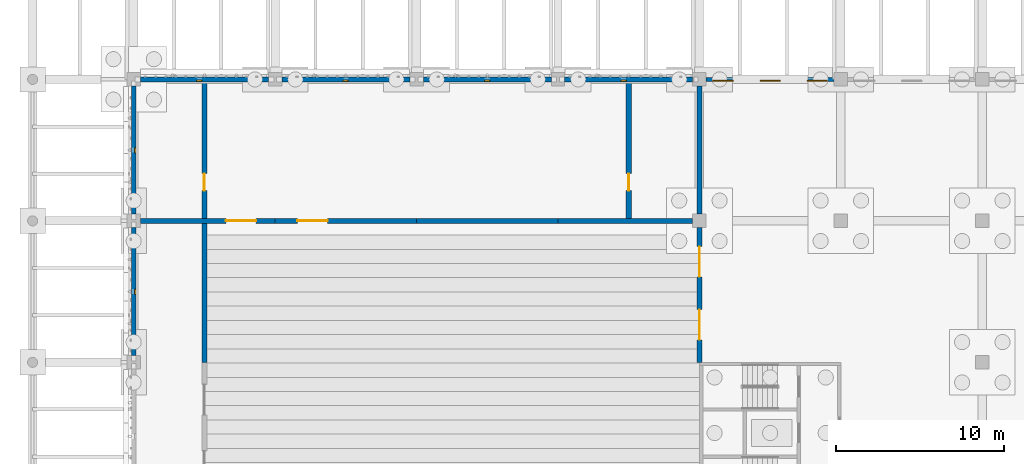
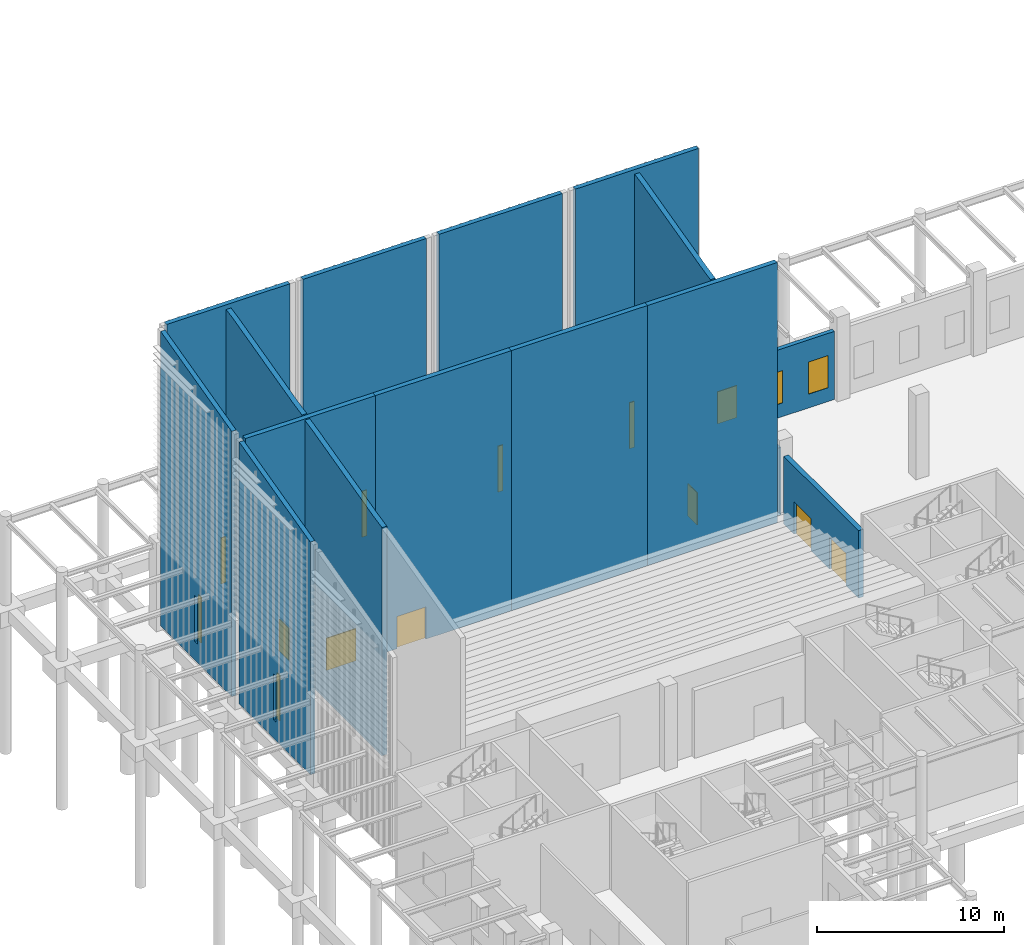
# One storey, part 35 of 82: 16 walls, 9 windows, 6 doors, 15 openings.
"""IFC4 building model written with IfcOpenShell, lengths in metres."""

from ifc_helpers import new_model, si_unit, direction, frame, frame_2d, origin, place, context, subcontext, project, spatial, polyline, rectangle, outline, extrude, material, layer, layer_set, type_object, element, fill, save


model = new_model("IFC4")

# Units and contexts
model_context = context("Model", 3, precision=1e-05, world=origin(), true_north=direction((0.0, 1.0)))
body_context = subcontext(model_context, "Body", "Model", "MODEL_VIEW")
ifc_project = project(units=[si_unit("LENGTHUNIT", "METRE"), si_unit("AREAUNIT", "SQUARE_METRE"), si_unit("VOLUMEUNIT", "CUBIC_METRE"), si_unit("PLANEANGLEUNIT", "RADIAN"), si_unit("MASSUNIT", "GRAM", prefix="KILO")], contexts=[model_context])

# Site, building, storey
site_placement = place(None, origin())
site = spatial("IfcSite", under=ifc_project, at=site_placement, CompositionType="ELEMENT")
building_placement = place(site_placement, origin())
building = spatial("IfcBuilding", under=site, at=building_placement, Name="Almond Square Museum", CompositionType="ELEMENT")
storey_placement = place(building_placement, origin())
storey = spatial("IfcBuildingStorey", under=building, at=storey_placement, Name="L00", CompositionType="ELEMENT", Elevation=0.0)

# Wall, opening, door
ifc_material_1 = material(Name="Acoustic gypsum board on double steel stud", Category="steel")
ifc_layer_1 = layer(ifc_material_1, 0.300048828125)
ifc_layer_set_1 = layer_set([ifc_layer_1], Name="Acoustic gypsum board on double steel stud")
wall_type_1 = type_object("IfcWallType", Name="Acoustic wall 300 double stud", PredefinedType="PARTITIONING", material=ifc_layer_set_1)
wall_1_placement = place(storey_placement, frame((10.199951171875, 100.949951171875, 0.0), z_axis=(0.0, 0.0, 1.0), x_axis=(0.0, 1.0, 0.0)))
wall_1 = element("IfcWall", 1, at=wall_1_placement, inside=storey, type_object=wall_type_1, Name="L00 partition 1", PredefinedType="PARTITIONING", context=body_context, shape_type="SweptSolid", body=[
    extrude(outline(polyline([(0.0, 0.0), (8.10009765625, 0.0), (8.10009765625, 19.02392578125), (7.35009765625, 18.8720703125), (6.300048828125, 18.60693359375), (4.199951171875, 18.074951171875), (3.14990234375, 17.81005859375), (2.10009765625, 17.5439453125), (1.050048828125, 17.279052734375), (0.0, 17.051025390625), (0.0, 0.0)])), frame((0.0, 0.14990234375, 0.0), z_axis=(0.0, -1.0, 0.0), x_axis=(1.0, 0.0, 0.0)), (0.0, 0.0, 1.0), 0.300048828125),
])
opening_1_placement = place(wall_1_placement, frame((1.64990234375, 0.0, 0.0)))
opening_1 = element("IfcOpeningElement", 2, at=opening_1_placement, cuts=wall_1, Name="Opening D0101", PredefinedType="OPENING", context=body_context, shape_type="SweptSolid", body=[
    extrude(rectangle(XDim=1.0, YDim=2.10009765625, at=frame_2d((0.5, 1.050048828125))), frame((0.0, 0.159912109375, 0.0), z_axis=(0.0, -1.0, 0.0), x_axis=(1.0, 0.0, 0.0)), (0.0, 0.0, 1.0), 0.320068359375),
])
ifc_material_2 = material(Name="Steel", Category="steel")
door_type_1 = type_object("IfcDoorType", Name="Fire door 1000 x 2100 FD60 single", OperationType="NOTDEFINED", PredefinedType="DOOR", material=ifc_material_2)
door_1_placement = place(opening_1_placement, origin())
door_1 = element("IfcDoor", 3, at=door_1_placement, inside=storey, type_object=door_type_1, Name="L00 door Green Room to Stage", OperationType="SINGLE_SWING_LEFT", OverallHeight=2.10009765625, OverallWidth=1.0, PredefinedType="DOOR", context=body_context, shape_type="SweptSolid", body=[
    extrude(rectangle(XDim=1.0, YDim=2.10009765625, at=frame_2d((0.5, 1.050048828125))), frame((0.0, 0.02490234375, 0.0), z_axis=(0.0, -1.0, 0.0), x_axis=(1.0, 0.0, 0.0)), (0.0, 0.0, 1.0), 0.050048828125),
])
fill(opening_1, door_1)

wall_2_placement = place(storey_placement, frame((6.39990234375, 100.800048828125, 0.0), z_axis=(0.0, 0.0, 1.0), x_axis=(1.0, 0.0, 0.0)))
wall_2 = element("IfcWall", 4, at=wall_2_placement, inside=storey, type_object=wall_type_1, Name="L00 partition 2", PredefinedType="PARTITIONING", context=body_context, shape_type="SweptSolid", body=[
    extrude(rectangle(XDim=8.0, YDim=0.300048828125, at=frame_2d((4.0, 0.0))), origin(), (0.0, 0.0, 1.0), 16.97509765625),
])
opening_2_placement = place(wall_2_placement, frame((5.074951171875, 0.0, 0.0)))
opening_2 = element("IfcOpeningElement", 5, at=opening_2_placement, cuts=wall_2, Name="Opening D0139", PredefinedType="OPENING", context=body_context, shape_type="SweptSolid", body=[
    extrude(rectangle(XDim=1.800048828125, YDim=2.10009765625, at=frame_2d((0.89990234375, 1.050048828125))), frame((0.0, 0.159912109375, 0.0), z_axis=(0.0, -1.0, 0.0), x_axis=(1.0, 0.0, 0.0)), (0.0, 0.0, 1.0), 0.320068359375),
])
ifc_material_3 = material(Name="Steel", Category="steel")
door_type_2 = type_object("IfcDoorType", Name="Fire door 1800 x 2100 FD60 double", OperationType="NOTDEFINED", PredefinedType="DOOR", material=ifc_material_3)
door_2_placement = place(opening_2_placement, origin())
door_2 = element("IfcDoor", 6, at=door_2_placement, inside=storey, type_object=door_type_2, Name="L00 door Stage to Auditorium", OperationType="DOUBLE_DOOR_SINGLE_SWING", OverallHeight=2.10009765625, OverallWidth=1.800048828125, PredefinedType="DOOR", context=body_context, shape_type="SweptSolid", body=[
    extrude(rectangle(XDim=1.800048828125, YDim=2.10009765625, at=frame_2d((0.89990234375, 1.050048828125))), frame((0.0, 0.02490234375, 0.0), z_axis=(0.0, -1.0, 0.0), x_axis=(1.0, 0.0, 0.0)), (0.0, 0.0, 1.0), 0.050048828125),
])
fill(opening_2, door_2)

wall_3_placement = place(storey_placement, frame((14.39990234375, 100.800048828125, 0.0), z_axis=(0.0, 0.0, 1.0), x_axis=(1.0, 0.0, 0.0)))
wall_3 = element("IfcWall", 7, at=wall_3_placement, inside=storey, type_object=wall_type_1, Name="L00 partition 3", PredefinedType="PARTITIONING", context=body_context, shape_type="SweptSolid", body=[
    extrude(rectangle(XDim=8.400146484375, YDim=0.300048828125, at=frame_2d((4.2001953125, 0.0))), origin(), (0.0, 0.0, 1.0), 16.97509765625),
])
opening_3_placement = place(wall_3_placement, frame((1.324951171875, 0.0, 0.0)))
opening_3 = element("IfcOpeningElement", 8, at=opening_3_placement, cuts=wall_3, Name="Opening D0140", PredefinedType="OPENING", context=body_context, shape_type="SweptSolid", body=[
    extrude(rectangle(XDim=1.800048828125, YDim=2.10009765625, at=frame_2d((0.89990234375, 1.050048828125))), frame((0.0, 0.159912109375, 0.0), z_axis=(0.0, -1.0, 0.0), x_axis=(1.0, 0.0, 0.0)), (0.0, 0.0, 1.0), 0.320068359375),
])
door_3_placement = place(opening_3_placement, origin())
door_3 = element("IfcDoor", 9, at=door_3_placement, inside=storey, type_object=door_type_2, Name="L00 door Stage to Auditorium", OperationType="DOUBLE_DOOR_SINGLE_SWING", OverallHeight=2.10009765625, OverallWidth=1.800048828125, PredefinedType="DOOR", context=body_context, shape_type="SweptSolid", body=[
    extrude(rectangle(XDim=1.800048828125, YDim=2.10009765625, at=frame_2d((0.89990234375, 1.050048828125))), frame((0.0, 0.02490234375, 0.0), z_axis=(0.0, -1.0, 0.0), x_axis=(1.0, 0.0, 0.0)), (0.0, 0.0, 1.0), 0.050048828125),
])
fill(opening_3, door_3)

# Walls
wall_4_placement = place(storey_placement, frame((22.800048828125, 100.800048828125, 0.0), z_axis=(0.0, 0.0, 1.0), x_axis=(1.0, 0.0, 0.0)))
element("IfcWall", 10, at=wall_4_placement, inside=storey, type_object=wall_type_1, Name="L00 partition 4", PredefinedType="PARTITIONING", context=body_context, shape_type="SweptSolid", body=[
    extrude(rectangle(XDim=8.39990234375, YDim=0.300048828125, at=frame_2d((4.199951171875, 0.0))), origin(), (0.0, 0.0, 1.0), 16.97509765625),
])
wall_5_placement = place(storey_placement, frame((31.199951171875, 100.800048828125, 0.0), z_axis=(0.0, 0.0, 1.0), x_axis=(1.0, 0.0, 0.0)))
element("IfcWall", 11, at=wall_5_placement, inside=storey, type_object=wall_type_1, Name="L00 partition 5", PredefinedType="PARTITIONING", context=body_context, shape_type="SweptSolid", body=[
    extrude(rectangle(XDim=8.0, YDim=0.300048828125, at=frame_2d((4.0, 0.0))), origin(), (0.0, 0.0, 1.0), 16.97509765625),
])

# Wall, opening, door
wall_6_placement = place(storey_placement, frame((35.39990234375, 100.949951171875, 0.0), z_axis=(0.0, 0.0, 1.0), x_axis=(0.0, 1.0, 0.0)))
wall_6 = element("IfcWall", 12, at=wall_6_placement, inside=storey, type_object=wall_type_1, Name="L00 partition 6", PredefinedType="PARTITIONING", context=body_context, shape_type="SweptSolid", body=[
    extrude(outline(polyline([(0.0, 0.0), (8.10009765625, 0.0), (8.10009765625, 19.02392578125), (7.35009765625, 18.8720703125), (6.300048828125, 18.60693359375), (4.199951171875, 18.074951171875), (3.14990234375, 17.81005859375), (2.10009765625, 17.5439453125), (1.050048828125, 17.279052734375), (0.0, 17.051025390625), (0.0, 0.0)])), frame((0.0, 0.14990234375, 0.0), z_axis=(0.0, -1.0, 0.0), x_axis=(1.0, 0.0, 0.0)), (0.0, 0.0, 1.0), 0.300048828125),
])
opening_4_placement = place(wall_6_placement, frame((1.64990234375, 0.0, 0.0)))
opening_4 = element("IfcOpeningElement", 13, at=opening_4_placement, cuts=wall_6, Name="Opening D0102", PredefinedType="OPENING", context=body_context, shape_type="SweptSolid", body=[
    extrude(rectangle(XDim=1.0, YDim=2.10009765625, at=frame_2d((0.5, 1.050048828125))), frame((0.0, 0.159912109375, 0.0), z_axis=(0.0, -1.0, 0.0), x_axis=(1.0, 0.0, 0.0)), (0.0, 0.0, 1.0), 0.320068359375),
])
door_4_placement = place(opening_4_placement, origin())
door_4 = element("IfcDoor", 14, at=door_4_placement, inside=storey, type_object=door_type_1, Name="L00 door Dressing Room to Stage", OperationType="SINGLE_SWING_RIGHT", OverallHeight=2.10009765625, OverallWidth=1.0, PredefinedType="DOOR", context=body_context, shape_type="SweptSolid", body=[
    extrude(rectangle(XDim=1.0, YDim=2.10009765625, at=frame_2d((0.5, 1.050048828125))), frame((0.0, 0.02490234375, 0.0), z_axis=(0.0, -1.0, 0.0), x_axis=(1.0, 0.0, 0.0)), (0.0, 0.0, 1.0), 0.050048828125),
])
fill(opening_4, door_4)

# Wall
wall_7_placement = place(storey_placement, frame((39.60009765625, 101.199951171875, 0.0), z_axis=(0.0, 0.0, 1.0), x_axis=(0.0, 1.0, 0.0)))
element("IfcWall", 15, at=wall_7_placement, inside=storey, type_object=wall_type_1, Name="L00 partition 7", PredefinedType="PARTITIONING", context=body_context, shape_type="SweptSolid", body=[
    extrude(rectangle(XDim=7.60009765625, YDim=0.300048828125, at=frame_2d((3.800048828125, 0.0))), origin(), (0.0, 0.0, 1.0), 4.39990234375),
])

# Wall, openings, doors
wall_8_placement = place(storey_placement, frame((39.60009765625, 92.39990234375, 0.0), z_axis=(0.0, 0.0, 1.0), x_axis=(0.0, 1.0, 0.0)))
wall_8 = element("IfcWall", 16, at=wall_8_placement, inside=storey, type_object=wall_type_1, Name="L00 partition 18", PredefinedType="PARTITIONING", context=body_context, shape_type="SweptSolid", body=[
    extrude(rectangle(XDim=8.0, YDim=0.300048828125, at=frame_2d((4.0, 0.0))), origin(), (0.0, 0.0, 1.0), 4.39990234375),
])
opening_5_placement = place(wall_8_placement, frame((1.324951171875, 0.0, 0.0)))
opening_5 = element("IfcOpeningElement", 17, at=opening_5_placement, cuts=wall_8, Name="Opening D0141", PredefinedType="OPENING", context=body_context, shape_type="SweptSolid", body=[
    extrude(rectangle(XDim=1.800048828125, YDim=2.10009765625, at=frame_2d((0.89990234375, 1.050048828125))), frame((0.0, 0.159912109375, 0.0), z_axis=(0.0, -1.0, 0.0), x_axis=(1.0, 0.0, 0.0)), (0.0, 0.0, 1.0), 0.320068359375),
])
opening_6_placement = place(wall_8_placement, frame((5.074951171875, 0.0, 0.0)))
opening_6 = element("IfcOpeningElement", 18, at=opening_6_placement, cuts=wall_8, Name="Opening D0142", PredefinedType="OPENING", context=body_context, shape_type="SweptSolid", body=[
    extrude(rectangle(XDim=1.800048828125, YDim=2.10009765625, at=frame_2d((0.89990234375, 1.050048828125))), frame((0.0, 0.159912109375, 0.0), z_axis=(0.0, -1.0, 0.0), x_axis=(1.0, 0.0, 0.0)), (0.0, 0.0, 1.0), 0.320068359375),
])
door_5_placement = place(opening_5_placement, origin())
door_5 = element("IfcDoor", 19, at=door_5_placement, inside=storey, type_object=door_type_2, Name="L00 door Temporary Exhibition Gallery to Auditorium", OperationType="DOUBLE_DOOR_SINGLE_SWING", OverallHeight=2.10009765625, OverallWidth=1.800048828125, PredefinedType="DOOR", context=body_context, shape_type="SweptSolid", body=[
    extrude(rectangle(XDim=1.800048828125, YDim=2.10009765625, at=frame_2d((0.89990234375, 1.050048828125))), frame((0.0, 0.02490234375, 0.0), z_axis=(0.0, -1.0, 0.0), x_axis=(1.0, 0.0, 0.0)), (0.0, 0.0, 1.0), 0.050048828125),
])
fill(opening_5, door_5)
door_6_placement = place(opening_6_placement, origin())
door_6 = element("IfcDoor", 20, at=door_6_placement, inside=storey, type_object=door_type_2, Name="L00 door Temporary Exhibition Gallery to Auditorium", OperationType="DOUBLE_DOOR_SINGLE_SWING", OverallHeight=2.10009765625, OverallWidth=1.800048828125, PredefinedType="DOOR", context=body_context, shape_type="SweptSolid", body=[
    extrude(rectangle(XDim=1.800048828125, YDim=2.10009765625, at=frame_2d((0.89990234375, 1.050048828125))), frame((0.0, 0.02490234375, 0.0), z_axis=(0.0, -1.0, 0.0), x_axis=(1.0, 0.0, 0.0)), (0.0, 0.0, 1.0), 0.050048828125),
])
fill(opening_6, door_6)

# Wall
wall_9_placement = place(storey_placement, frame((10.199951171875, 92.39990234375, 0.0), z_axis=(0.0, 0.0, 1.0), x_axis=(0.0, 1.0, 0.0)))
element("IfcWall", 21, at=wall_9_placement, inside=storey, type_object=wall_type_1, Name="L00 partition 28", PredefinedType="PARTITIONING", context=body_context, shape_type="SweptSolid", body=[
    extrude(outline(polyline([(0.0, 0.0), (8.25, 0.0), (8.25, 16.89892578125), (7.35009765625, 16.708984375), (6.300048828125, 16.444091796875), (5.25, 16.177978515625), (4.199951171875, 15.9130859375), (2.10009765625, 15.381103515625), (1.050048828125, 15.115966796875), (0.0, 14.887939453125), (0.0, 0.0)])), frame((0.0, 0.14990234375, 0.0), z_axis=(0.0, -1.0, 0.0), x_axis=(1.0, 0.0, 0.0)), (0.0, 0.0, 1.0), 0.300048828125),
])

# Wall, openings, windows
ifc_material_4 = material(Name="Precast concrete C40/50", Category="concrete")
ifc_layer_2 = layer(ifc_material_4, 0.25)
ifc_layer_set_2 = layer_set([ifc_layer_2], Name="Precast concrete C40/50")
wall_type_2 = type_object("IfcWallType", Name="Precast concrete panel wall 250 with coral limestone piers", PredefinedType="SOLIDWALL", material=ifc_layer_set_2)
wall_10_placement = place(storey_placement, frame((40.0, 109.199951171875, 0.0), z_axis=(0.0, 0.0, 1.0), x_axis=(1.0, 0.0, 0.0)))
wall_10 = element("IfcWall", 22, at=wall_10_placement, inside=storey, type_object=wall_type_2, Name="External wall W2 V4N L00 N04", PredefinedType="SOLIDWALL", context=body_context, shape_type="SweptSolid", body=[
    extrude(rectangle(XDim=7.60009765625, YDim=0.25, at=frame_2d((3.800048828125, 0.0))), origin(), (0.0, 0.0, 1.0), 4.43994140625),
])
opening_7_placement = place(wall_10_placement, frame((0.39990234375, 0.0, 0.89990234375)))
opening_7 = element("IfcOpeningElement", 23, at=opening_7_placement, cuts=wall_10, Name="Opening W0112", PredefinedType="OPENING", context=body_context, shape_type="SweptSolid", body=[
    extrude(rectangle(XDim=1.199951171875, YDim=2.10009765625, at=frame_2d((0.60009765625, 1.050048828125))), frame((0.0, 0.135009765625, 0.0), z_axis=(0.0, -1.0, 0.0), x_axis=(1.0, 0.0, 0.0)), (0.0, 0.0, 1.0), 0.27001953125),
])
opening_8_placement = place(wall_10_placement, frame((3.199951171875, 0.0, 0.89990234375)))
opening_8 = element("IfcOpeningElement", 24, at=opening_8_placement, cuts=wall_10, Name="Opening W0113", PredefinedType="OPENING", context=body_context, shape_type="SweptSolid", body=[
    extrude(rectangle(XDim=1.199951171875, YDim=2.10009765625, at=frame_2d((0.60009765625, 1.050048828125))), frame((0.0, 0.135009765625, 0.0), z_axis=(0.0, -1.0, 0.0), x_axis=(1.0, 0.0, 0.0)), (0.0, 0.0, 1.0), 0.27001953125),
])
opening_9_placement = place(wall_10_placement, frame((6.0, 0.0, 0.89990234375)))
opening_9 = element("IfcOpeningElement", 25, at=opening_9_placement, cuts=wall_10, Name="Opening W0114", PredefinedType="OPENING", context=body_context, shape_type="SweptSolid", body=[
    extrude(rectangle(XDim=1.199951171875, YDim=2.10009765625, at=frame_2d((0.60009765625, 1.050048828125))), frame((0.0, 0.135009765625, 0.0), z_axis=(0.0, -1.0, 0.0), x_axis=(1.0, 0.0, 0.0)), (0.0, 0.0, 1.0), 0.27001953125),
])
ifc_material_5 = material(Name="Anodised aluminium louvre and laminated glass", Category="aluminium")
window_type_1 = type_object("IfcWindowType", Name="Louvred pier window", PartitioningType="SINGLE_PANEL", PredefinedType="WINDOW", material=ifc_material_5)
window_1_placement = place(opening_7_placement, origin())
window_1 = element("IfcWindow", 26, at=window_1_placement, inside=storey, type_object=window_type_1, Name="Louvred pier window W0112", OverallHeight=2.10009765625, OverallWidth=1.199951171875, PartitioningType="SINGLE_PANEL", PredefinedType="WINDOW", context=body_context, shape_type="SweptSolid", body=[
    extrude(rectangle(XDim=1.199951171875, YDim=2.10009765625, at=frame_2d((0.60009765625, 1.050048828125))), frame((0.0, -0.044921875, 0.0), z_axis=(0.0, -1.0, 0.0), x_axis=(1.0, 0.0, 0.0)), (0.0, 0.0, 1.0), 0.06005859375),
])
fill(opening_7, window_1)
window_2_placement = place(opening_8_placement, origin())
window_2 = element("IfcWindow", 27, at=window_2_placement, inside=storey, type_object=window_type_1, Name="Louvred pier window W0113", OverallHeight=2.10009765625, OverallWidth=1.199951171875, PartitioningType="SINGLE_PANEL", PredefinedType="WINDOW", context=body_context, shape_type="SweptSolid", body=[
    extrude(rectangle(XDim=1.199951171875, YDim=2.10009765625, at=frame_2d((0.60009765625, 1.050048828125))), frame((0.0, -0.044921875, 0.0), z_axis=(0.0, -1.0, 0.0), x_axis=(1.0, 0.0, 0.0)), (0.0, 0.0, 1.0), 0.06005859375),
])
fill(opening_8, window_2)
window_3_placement = place(opening_9_placement, origin())
window_3 = element("IfcWindow", 28, at=window_3_placement, inside=storey, type_object=window_type_1, Name="Louvred pier window W0114", OverallHeight=2.10009765625, OverallWidth=1.199951171875, PartitioningType="SINGLE_PANEL", PredefinedType="WINDOW", context=body_context, shape_type="SweptSolid", body=[
    extrude(rectangle(XDim=1.199951171875, YDim=2.10009765625, at=frame_2d((0.60009765625, 1.050048828125))), frame((0.0, -0.044921875, 0.0), z_axis=(0.0, -1.0, 0.0), x_axis=(1.0, 0.0, 0.0)), (0.0, 0.0, 1.0), 0.06005859375),
])
fill(opening_9, window_3)

# Wall, opening, window
ifc_material_6 = material(Name="Concrete C30/37", Category="concrete")
ifc_layer_3 = layer(ifc_material_6, 0.280029296875)
ifc_layer_set_3 = layer_set([ifc_layer_3], Name="Concrete C30/37")
wall_type_3 = type_object("IfcWallType", Name="Timber rainscreen wall 280 on concrete, load-bearing", PredefinedType="SOLIDWALL", material=ifc_layer_set_3)
wall_11_placement = place(storey_placement, frame((31.60009765625, 109.199951171875, 0.0), z_axis=(0.0, 0.0, 1.0), x_axis=(1.0, 0.0, 0.0)))
wall_11 = element("IfcWall", 29, at=wall_11_placement, inside=storey, type_object=wall_type_3, Name="External wall W3L V3 L00 N01", PredefinedType="SOLIDWALL", context=body_context, shape_type="SweptSolid", body=[
    extrude(rectangle(XDim=7.599853515625, YDim=0.280029296875, at=frame_2d((3.7998046875, 0.0))), origin(), (0.0, 0.0, 1.0), 19.319091796875),
])
opening_10_placement = place(wall_11_placement, frame((3.35009765625, 0.0, 1.199951171875)))
opening_10 = element("IfcOpeningElement", 30, at=opening_10_placement, cuts=wall_11, Name="Opening W0115", PredefinedType="OPENING", context=body_context, shape_type="SweptSolid", body=[
    extrude(rectangle(XDim=0.300048828125, YDim=3.0, at=frame_2d((0.14990234375, 1.5))), frame((0.0, 0.14990234375, 0.0), z_axis=(0.0, -1.0, 0.0), x_axis=(1.0, 0.0, 0.0)), (0.0, 0.0, 1.0), 0.300048828125),
])
ifc_material_7 = material(Name="Timber frame and laminated glass", Category="wood")
window_type_2 = type_object("IfcWindowType", Name="Vertical slit window", PartitioningType="SINGLE_PANEL", PredefinedType="WINDOW", material=ifc_material_7)
window_4_placement = place(opening_10_placement, origin())
window_4 = element("IfcWindow", 31, at=window_4_placement, inside=storey, type_object=window_type_2, Name="Vertical slit window W0115", OverallHeight=3.0, OverallWidth=0.300048828125, PartitioningType="SINGLE_PANEL", PredefinedType="WINDOW", context=body_context, shape_type="SweptSolid", body=[
    extrude(rectangle(XDim=0.300048828125, YDim=3.0, at=frame_2d((0.14990234375, 1.5))), frame((0.0, -0.06005859375, 0.0), z_axis=(0.0, -1.0, 0.0), x_axis=(1.0, 0.0, 0.0)), (0.0, 0.0, 1.0), 0.06005859375),
])
fill(opening_10, window_4)

wall_12_placement = place(storey_placement, frame((23.199951171875, 109.199951171875, 0.0), z_axis=(0.0, 0.0, 1.0), x_axis=(1.0, 0.0, 0.0)))
wall_12 = element("IfcWall", 32, at=wall_12_placement, inside=storey, type_object=wall_type_3, Name="External wall W3L V3 L00 N02", PredefinedType="SOLIDWALL", context=body_context, shape_type="SweptSolid", body=[
    extrude(rectangle(XDim=7.60009765625, YDim=0.280029296875, at=frame_2d((3.800048828125, 0.0))), origin(), (0.0, 0.0, 1.0), 19.319091796875),
])
opening_11_placement = place(wall_12_placement, frame((3.64990234375, 0.0, 1.199951171875)))
opening_11 = element("IfcOpeningElement", 33, at=opening_11_placement, cuts=wall_12, Name="Opening W0116", PredefinedType="OPENING", context=body_context, shape_type="SweptSolid", body=[
    extrude(rectangle(XDim=0.300048828125, YDim=3.0, at=frame_2d((0.14990234375, 1.5))), frame((0.0, 0.14990234375, 0.0), z_axis=(0.0, -1.0, 0.0), x_axis=(1.0, 0.0, 0.0)), (0.0, 0.0, 1.0), 0.300048828125),
])
window_5_placement = place(opening_11_placement, origin())
window_5 = element("IfcWindow", 34, at=window_5_placement, inside=storey, type_object=window_type_2, Name="Vertical slit window W0116", OverallHeight=3.0, OverallWidth=0.300048828125, PartitioningType="SINGLE_PANEL", PredefinedType="WINDOW", context=body_context, shape_type="SweptSolid", body=[
    extrude(rectangle(XDim=0.300048828125, YDim=3.0, at=frame_2d((0.14990234375, 1.5))), frame((0.0, -0.06005859375, 0.0), z_axis=(0.0, -1.0, 0.0), x_axis=(1.0, 0.0, 0.0)), (0.0, 0.0, 1.0), 0.06005859375),
])
fill(opening_11, window_5)

wall_13_placement = place(storey_placement, frame((14.800048828125, 109.199951171875, 0.0), z_axis=(0.0, 0.0, 1.0), x_axis=(1.0, 0.0, 0.0)))
wall_13 = element("IfcWall", 35, at=wall_13_placement, inside=storey, type_object=wall_type_3, Name="External wall W3L V3 L00 N03", PredefinedType="SOLIDWALL", context=body_context, shape_type="SweptSolid", body=[
    extrude(rectangle(XDim=7.599853515625, YDim=0.280029296875, at=frame_2d((3.7998046875, 0.0))), origin(), (0.0, 0.0, 1.0), 19.319091796875),
])
opening_12_placement = place(wall_13_placement, frame((3.64990234375, 0.0, 1.199951171875)))
opening_12 = element("IfcOpeningElement", 36, at=opening_12_placement, cuts=wall_13, Name="Opening W0117", PredefinedType="OPENING", context=body_context, shape_type="SweptSolid", body=[
    extrude(rectangle(XDim=0.300048828125, YDim=3.0, at=frame_2d((0.14990234375, 1.5))), frame((0.0, 0.14990234375, 0.0), z_axis=(0.0, -1.0, 0.0), x_axis=(1.0, 0.0, 0.0)), (0.0, 0.0, 1.0), 0.300048828125),
])
window_6_placement = place(opening_12_placement, origin())
window_6 = element("IfcWindow", 37, at=window_6_placement, inside=storey, type_object=window_type_2, Name="Vertical slit window W0117", OverallHeight=3.0, OverallWidth=0.300048828125, PartitioningType="SINGLE_PANEL", PredefinedType="WINDOW", context=body_context, shape_type="SweptSolid", body=[
    extrude(rectangle(XDim=0.300048828125, YDim=3.0, at=frame_2d((0.14990234375, 1.5))), frame((0.0, -0.06005859375, 0.0), z_axis=(0.0, -1.0, 0.0), x_axis=(1.0, 0.0, 0.0)), (0.0, 0.0, 1.0), 0.06005859375),
])
fill(opening_12, window_6)

wall_14_placement = place(storey_placement, frame((6.39990234375, 109.199951171875, 0.0), z_axis=(0.0, 0.0, 1.0), x_axis=(1.0, 0.0, 0.0)))
wall_14 = element("IfcWall", 38, at=wall_14_placement, inside=storey, type_object=wall_type_3, Name="External wall W3L V3 L00 N04", PredefinedType="SOLIDWALL", context=body_context, shape_type="SweptSolid", body=[
    extrude(rectangle(XDim=7.60009765625, YDim=0.280029296875, at=frame_2d((3.800048828125, 0.0))), origin(), (0.0, 0.0, 1.0), 19.319091796875),
])
opening_13_placement = place(wall_14_placement, frame((3.35009765625, 0.0, 1.199951171875)))
opening_13 = element("IfcOpeningElement", 39, at=opening_13_placement, cuts=wall_14, Name="Opening W0118", PredefinedType="OPENING", context=body_context, shape_type="SweptSolid", body=[
    extrude(rectangle(XDim=0.300048828125, YDim=3.0, at=frame_2d((0.14990234375, 1.5))), frame((0.0, 0.14990234375, 0.0), z_axis=(0.0, -1.0, 0.0), x_axis=(1.0, 0.0, 0.0)), (0.0, 0.0, 1.0), 0.300048828125),
])
window_7_placement = place(opening_13_placement, origin())
window_7 = element("IfcWindow", 40, at=window_7_placement, inside=storey, type_object=window_type_2, Name="Vertical slit window W0118", OverallHeight=3.0, OverallWidth=0.300048828125, PartitioningType="SINGLE_PANEL", PredefinedType="WINDOW", context=body_context, shape_type="SweptSolid", body=[
    extrude(rectangle(XDim=0.300048828125, YDim=3.0, at=frame_2d((0.14990234375, 1.5))), frame((0.0, -0.06005859375, 0.0), z_axis=(0.0, -1.0, 0.0), x_axis=(1.0, 0.0, 0.0)), (0.0, 0.0, 1.0), 0.06005859375),
])
fill(opening_13, window_7)

wall_15_placement = place(storey_placement, frame((6.0, 101.199951171875, 0.0), z_axis=(0.0, 0.0, 1.0), x_axis=(0.0, 1.0, 0.0)))
wall_15 = element("IfcWall", 41, at=wall_15_placement, inside=storey, type_object=wall_type_3, Name="External wall W3L V3 L00 W01", PredefinedType="SOLIDWALL", context=body_context, shape_type="SweptSolid", body=[
    extrude(outline(polyline([(0.0, 0.0), (7.60009765625, 0.0), (7.60009765625, 19.218017578125), (0.0, 17.29541015625), (0.0, 0.0)])), frame((0.0, 0.14013671875, 0.0), z_axis=(0.0, -1.0, 0.0), x_axis=(1.0, 0.0, 0.0)), (0.0, 0.0, 1.0), 0.280029296875),
])
opening_14_placement = place(wall_15_placement, frame((3.64990234375, 0.0, 1.199951171875)))
opening_14 = element("IfcOpeningElement", 42, at=opening_14_placement, cuts=wall_15, Name="Opening W0119", PredefinedType="OPENING", context=body_context, shape_type="SweptSolid", body=[
    extrude(rectangle(XDim=0.300048828125, YDim=3.0, at=frame_2d((0.14990234375, 1.5))), frame((0.0, 0.14990234375, 0.0), z_axis=(0.0, -1.0, 0.0), x_axis=(1.0, 0.0, 0.0)), (0.0, 0.0, 1.0), 0.300048828125),
])
window_8_placement = place(opening_14_placement, origin())
window_8 = element("IfcWindow", 43, at=window_8_placement, inside=storey, type_object=window_type_2, Name="Vertical slit window W0119", OverallHeight=3.0, OverallWidth=0.300048828125, PartitioningType="SINGLE_PANEL", PredefinedType="WINDOW", context=body_context, shape_type="SweptSolid", body=[
    extrude(rectangle(XDim=0.300048828125, YDim=3.0, at=frame_2d((0.14990234375, 1.5))), frame((0.0, -0.06005859375, 0.0), z_axis=(0.0, -1.0, 0.0), x_axis=(1.0, 0.0, 0.0)), (0.0, 0.0, 1.0), 0.06005859375),
])
fill(opening_14, window_8)

wall_16_placement = place(storey_placement, frame((6.0, 92.800048828125, 0.0), z_axis=(0.0, 0.0, 1.0), x_axis=(0.0, 1.0, 0.0)))
wall_16 = element("IfcWall", 44, at=wall_16_placement, inside=storey, type_object=wall_type_3, Name="External wall W3L V3 L00 W02", PredefinedType="SOLIDWALL", context=body_context, shape_type="SweptSolid", body=[
    extrude(outline(polyline([(0.0, 0.0), (7.599853515625, 0.0), (7.60009765625, 17.093017578125), (0.0, 15.17041015625), (0.0, 0.0)])), frame((0.0, 0.14013671875, 0.0), z_axis=(0.0, -1.0, 0.0), x_axis=(1.0, 0.0, 0.0)), (0.0, 0.0, 1.0), 0.280029296875),
])
opening_15_placement = place(wall_16_placement, frame((3.64990234375, 0.0, 1.199951171875)))
opening_15 = element("IfcOpeningElement", 45, at=opening_15_placement, cuts=wall_16, Name="Opening W0120", PredefinedType="OPENING", context=body_context, shape_type="SweptSolid", body=[
    extrude(rectangle(XDim=0.300048828125, YDim=3.0, at=frame_2d((0.14990234375, 1.5))), frame((0.0, 0.14990234375, 0.0), z_axis=(0.0, -1.0, 0.0), x_axis=(1.0, 0.0, 0.0)), (0.0, 0.0, 1.0), 0.300048828125),
])
window_9_placement = place(opening_15_placement, origin())
window_9 = element("IfcWindow", 46, at=window_9_placement, inside=storey, type_object=window_type_2, Name="Vertical slit window W0120", OverallHeight=3.0, OverallWidth=0.300048828125, PartitioningType="SINGLE_PANEL", PredefinedType="WINDOW", context=body_context, shape_type="SweptSolid", body=[
    extrude(rectangle(XDim=0.300048828125, YDim=3.0, at=frame_2d((0.14990234375, 1.5))), frame((0.0, -0.06005859375, 0.0), z_axis=(0.0, -1.0, 0.0), x_axis=(1.0, 0.0, 0.0)), (0.0, 0.0, 1.0), 0.06005859375),
])
fill(opening_15, window_9)

save(model, "model.ifc")
